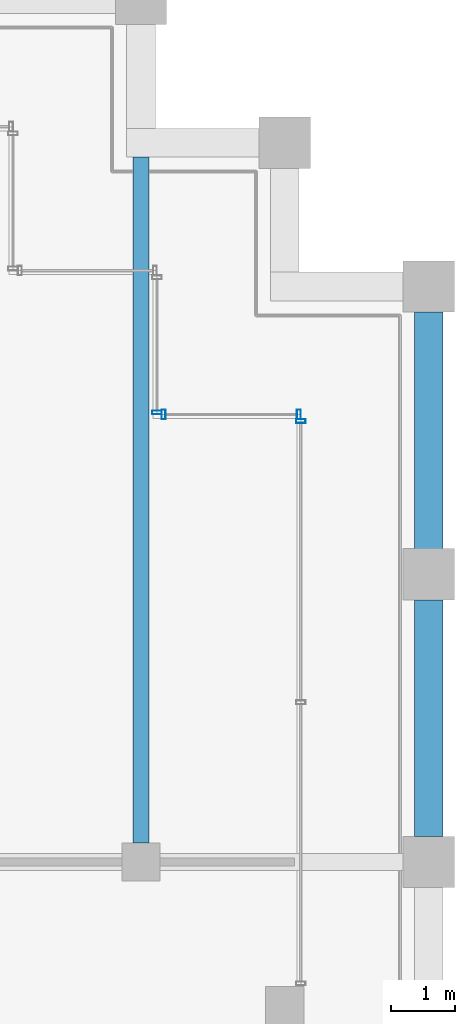
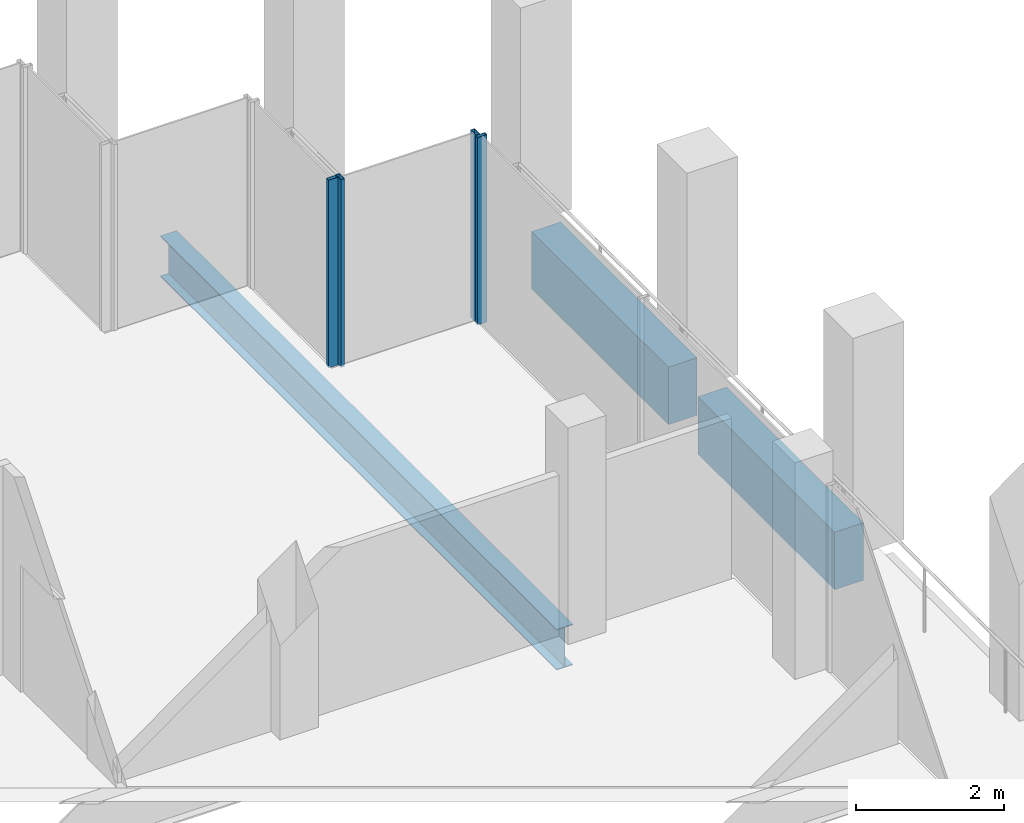
# One storey, part 25 of 30: 4 members, 3 beams, 3 elements without a shape of their own.
"""IFC4 building model written with IfcOpenShell, lengths in metres."""

from ifc_helpers import new_model, si_unit, direction, frame, origin, origin_2d, place, context, subcontext, project, spatial, rectangle, hollow_rectangle, i_section, extrude, material, material_profile, profile_set, type_object, element, aggregate, save


model = new_model("IFC4")

# Units and contexts
model_context = context("Model", 3, precision=1e-05, world=origin(), true_north=direction((0.0, 1.0)))
body_context = subcontext(model_context, "Body", "Model", "MODEL_VIEW")
ifc_project = project(units=[si_unit("LENGTHUNIT", "METRE"), si_unit("AREAUNIT", "SQUARE_METRE"), si_unit("VOLUMEUNIT", "CUBIC_METRE"), si_unit("PLANEANGLEUNIT", "RADIAN"), si_unit("MASSUNIT", "GRAM", prefix="KILO")], contexts=[model_context])

# Site, building, storey
site_placement = place(None, origin())
site = spatial("IfcSite", under=ifc_project, at=site_placement, CompositionType="ELEMENT")
building_placement = place(site_placement, origin())
building = spatial("IfcBuilding", under=site, at=building_placement, Name="Altepetl Exchange Towers", CompositionType="ELEMENT")
storey_placement = place(building_placement, frame((0.0, 0.0, 213.60009765625)))
storey = spatial("IfcBuildingStorey", under=building, at=storey_placement, Name="L54", CompositionType="ELEMENT", Elevation=213.60009765625)

# Beam
ifc_material_1 = material(Name="Steel S355", Category="steel")
ifc_material_profile_1 = material_profile(ifc_material_1, i_section(OverallWidth=0.2529296875, OverallDepth=0.677978515625, WebThickness=0.01171875, FlangeThickness=0.016357421875, at=origin_2d()), Name="W27X84")
ifc_profile_set_1 = profile_set([ifc_material_profile_1], Name="Steel S355")
beam_type_1 = type_object("IfcBeamType", Name="Floor beam W27X84", PredefinedType="BEAM", material=ifc_profile_set_1)
beam_placement = place(storey_placement, frame((67.5, 58.800048828125, -0.489013671875), z_axis=(0.0, 1.0, 0.0), x_axis=(-1.0, 0.0, 0.0)))
element("IfcBeam", 1, at=beam_placement, inside=storey, type_object=beam_type_1, Name="bm:A:L54:005", PredefinedType="BEAM", context=body_context, shape_type="SweptSolid", body=[
    extrude(i_section(OverallWidth=0.2529296875, OverallDepth=0.677978515625, WebThickness=0.01171875, FlangeThickness=0.016357421875, at=origin_2d()), origin(), (0.0, 0.0, 1.0), 10.724853515625),
])

# Curtain wall, member
ifc_material_2 = material(Name="Aluminium 6063-T6 glazing", Category="aluminium")
curtain_wall_type = type_object("IfcCurtainWallType", Name="Loggia glazing system", PredefinedType="NOTDEFINED", material=ifc_material_2)
curtain_wall_1_placement = place(storey_placement, origin())
curtain_wall_1 = element("IfcCurtainWall", 2, at=curtain_wall_1_placement, inside=storey, type_object=curtain_wall_type, Name="CW1 run", PredefinedType="NOTDEFINED")
ifc_material_3 = material(Name="Aluminium 6063-T6", Category="aluminium")
ifc_material_profile_2 = material_profile(ifc_material_3, hollow_rectangle(XDim=0.06005859375, YDim=0.14990234375, WallThickness=0.0029296875, at=origin_2d()), Name="Mullion 60x150 aluminium")
ifc_profile_set_2 = profile_set([ifc_material_profile_2], Name="Aluminium 6063-T6")
member_type = type_object("IfcMemberType", Name="Mullion 60x150 aluminium", PredefinedType="MULLION", material=ifc_profile_set_2)
member_1_placement = place(storey_placement, frame((70.0, 65.39501953125, 0.0), z_axis=(0.0, 0.0, 1.0), x_axis=(0.0, 1.0, 0.0)))
member_1 = element("IfcMember", 3, at=member_1_placement, type_object=member_type, Name="MU1 mullion", PredefinedType="MULLION", context=body_context, shape_type="SweptSolid", body=[
    extrude(hollow_rectangle(XDim=0.06005859375, YDim=0.14990234375, WallThickness=0.0029296875, at=origin_2d()), origin(), (0.0, 0.0, 1.0), 3.099853515625),
])
aggregate(curtain_wall_1, [member_1])

# Curtain wall, members
curtain_wall_2_placement = place(storey_placement, origin())
curtain_wall_2 = element("IfcCurtainWall", 4, at=curtain_wall_2_placement, inside=storey, type_object=curtain_wall_type, Name="CW1 run", PredefinedType="NOTDEFINED")
member_2_placement = place(storey_placement, frame((69.969970703125, 65.5, 0.0), z_axis=(0.0, 0.0, 1.0), x_axis=(-1.0, 0.0, 0.0)))
member_2 = element("IfcMember", 5, at=member_2_placement, type_object=member_type, Name="MU1 mullion", PredefinedType="MULLION", context=body_context, shape_type="SweptSolid", body=[
    extrude(hollow_rectangle(XDim=0.06005859375, YDim=0.14990234375, WallThickness=0.0029296875, at=origin_2d()), origin(), (0.0, 0.0, 1.0), 3.099853515625),
])
member_3_placement = place(storey_placement, frame((67.85498046875, 65.5, 0.0), z_axis=(0.0, 0.0, 1.0), x_axis=(-1.0, 0.0, 0.0)))
member_3 = element("IfcMember", 6, at=member_3_placement, type_object=member_type, Name="MU1 mullion", PredefinedType="MULLION", context=body_context, shape_type="SweptSolid", body=[
    extrude(hollow_rectangle(XDim=0.06005859375, YDim=0.14990234375, WallThickness=0.0029296875, at=origin_2d()), origin(), (0.0, 0.0, 1.0), 3.099853515625),
])
aggregate(curtain_wall_2, [member_2, member_3])

# Curtain wall, member
curtain_wall_3_placement = place(storey_placement, origin())
curtain_wall_3 = element("IfcCurtainWall", 7, at=curtain_wall_3_placement, inside=storey, type_object=curtain_wall_type, Name="CW1 run", PredefinedType="NOTDEFINED")
member_4_placement = place(storey_placement, frame((67.75, 65.530029296875, 0.0), z_axis=(0.0, 0.0, 1.0), x_axis=(0.0, 1.0, 0.0)))
member_4 = element("IfcMember", 8, at=member_4_placement, type_object=member_type, Name="MU1 mullion", PredefinedType="MULLION", context=body_context, shape_type="SweptSolid", body=[
    extrude(hollow_rectangle(XDim=0.06005859375, YDim=0.14990234375, WallThickness=0.0029296875, at=origin_2d()), origin(), (0.0, 0.0, 1.0), 3.099853515625),
])
aggregate(curtain_wall_3, [member_4])

# Beams
ifc_material_4 = material(Name="Concrete C50/60 precast with cantera rosa facing", Category="concrete")
ifc_material_profile_3 = material_profile(ifc_material_4, rectangle(XDim=0.449951171875, YDim=0.949951171875, at=origin_2d()), Name="450 x 950")
ifc_profile_set_3 = profile_set([ifc_material_profile_3], Name="Concrete C50/60 precast with cantera rosa facing")
beam_type_2 = type_object("IfcBeamType", Name="Spandrel beam 450x950 cantera rosa", PredefinedType="SPANDREL", material=ifc_profile_set_3)
for number, where, z_axis, x_axis, name in (
    (9, (72.0, 58.89990234375, -0.625), (0.0, 1.0, 0.0), (-1.0, 0.0, 0.0), "sp:A:L54:018"),
    (10, (72.0, 63.39990234375, -0.625), (0.0, 1.0, 0.0), (-1.0, 0.0, 0.0), "sp:A:L54:019"),
):
    element("IfcBeam", number, at=place(storey_placement, frame(where, z_axis=z_axis, x_axis=x_axis)), inside=storey, type_object=beam_type_2, Name=name, PredefinedType="SPANDREL", context=body_context, shape_type="SweptSolid", body=[
        extrude(rectangle(XDim=0.449951171875, YDim=0.949951171875, at=origin_2d()), origin(), (0.0, 0.0, 1.0), 3.7001953125),
    ])

save(model, "model.ifc")
